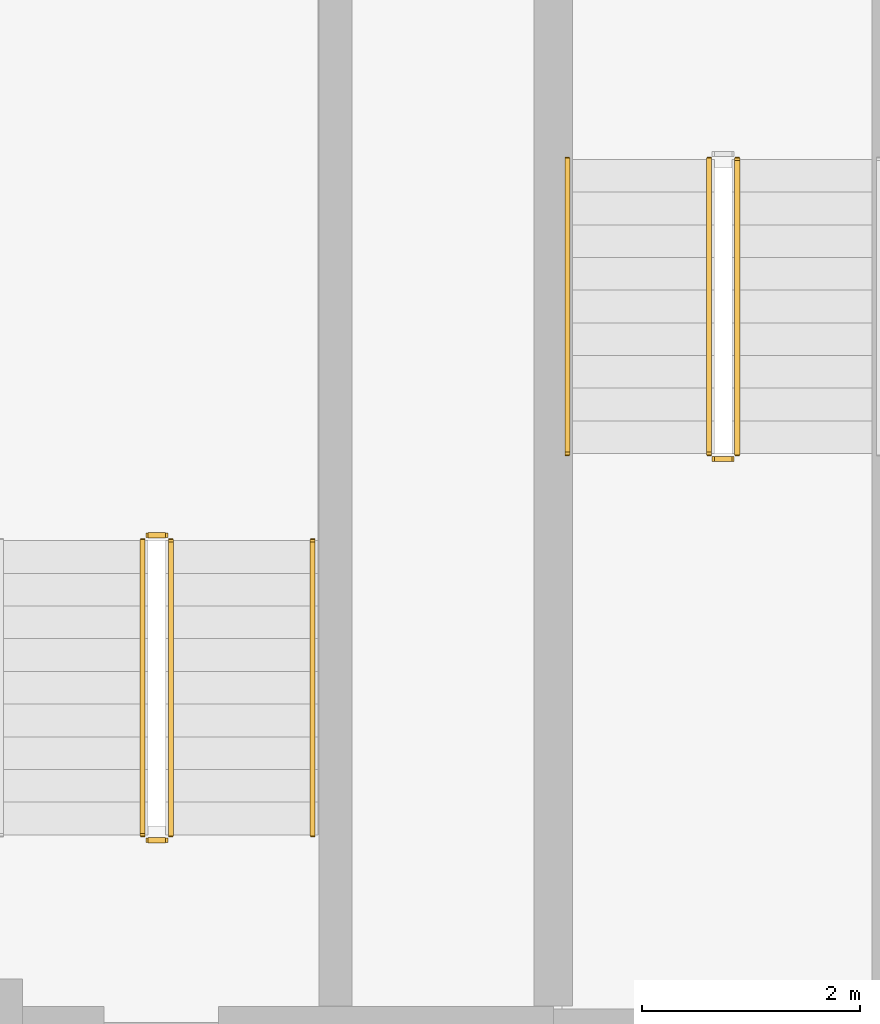
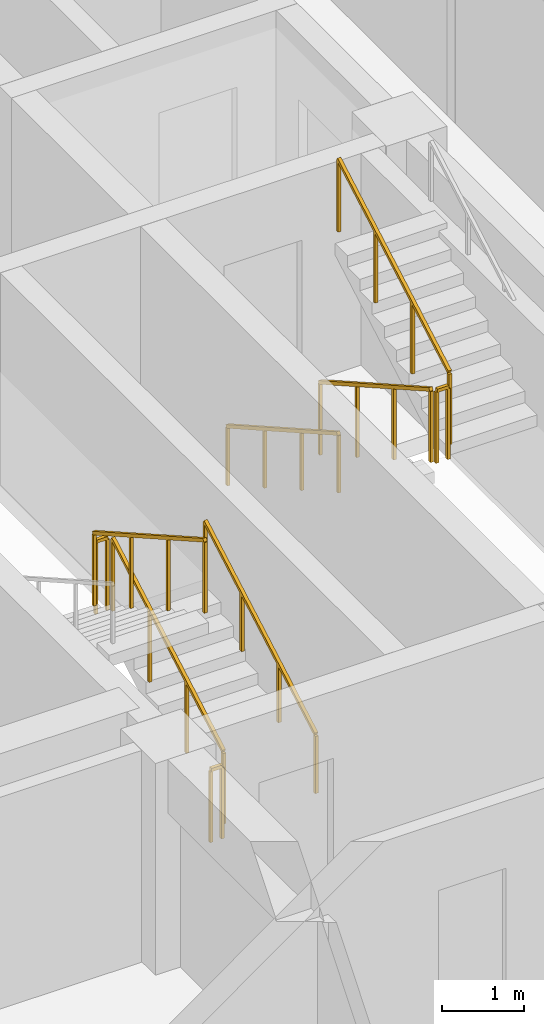
# One storey, part 10 of 15: 9 railings.
"""IFC4 building model written with IfcOpenShell, lengths in metres."""

from ifc_helpers import new_model, si_unit, direction, frame, origin, origin_2d, place, context, subcontext, project, spatial, rectangle, extrude, material, type_object, element, save


model = new_model("IFC4")

# Units and contexts
model_context = context("Model", 3, precision=1e-05, world=origin(), true_north=direction((0.0, 1.0)))
body_context = subcontext(model_context, "Body", "Model", "MODEL_VIEW")
ifc_project = project(units=[si_unit("LENGTHUNIT", "METRE"), si_unit("AREAUNIT", "SQUARE_METRE"), si_unit("VOLUMEUNIT", "CUBIC_METRE"), si_unit("PLANEANGLEUNIT", "RADIAN"), si_unit("MASSUNIT", "GRAM", prefix="KILO")], contexts=[model_context])

# Site, building, storey
site_placement = place(None, origin())
site = spatial("IfcSite", under=ifc_project, at=site_placement, CompositionType="ELEMENT")
building_placement = place(site_placement, origin())
building = spatial("IfcBuilding", under=site, at=building_placement, Name="Zulmaris Gate Convention Tower", CompositionType="ELEMENT")
storey_placement = place(building_placement, frame((0.0, 0.0, 201.659912109375)))
storey = spatial("IfcBuildingStorey", under=building, at=storey_placement, Name="L52", CompositionType="ELEMENT", Elevation=201.659912109375)

# Railings
ifc_material_1 = material(Name="Painted Galvanised Steel", Category="steel")
railing_type_1 = type_object("IfcRailingType", Name="RL-STG-1150", PredefinedType="GUARDRAIL", material=ifc_material_1)
railing_1_placement = place(storey_placement, frame((-13.27001953125, -2.0, 0.169921875)))
element("IfcRailing", 1, at=railing_1_placement, inside=storey, type_object=railing_type_1, Name="L52 ST-1 stair guard 1", PredefinedType="GUARDRAIL", context=body_context, shape_type="SweptSolid", body=[
    extrude(rectangle(XDim=0.048095703125, YDim=0.048095703125, at=origin_2d()), frame((0.0, 0.0, 1.076171875), z_axis=(0.0, -0.869980566543, 0.493086010588), x_axis=(1.0, 0.0, 0.0)), (0.0, 0.0, 1.0), 3.103515625),
    extrude(rectangle(XDim=0.0419921875, YDim=0.0419921875, at=origin_2d()), origin(), (0.0, 0.0, 1.0), 1.052001953125),
    extrude(rectangle(XDim=0.0419921875, YDim=0.0419921875, at=origin_2d()), frame((0.0, -0.89990234375, 0.510009765625)), (0.0, 0.0, 1.0), 1.052001953125),
    extrude(rectangle(XDim=0.0419921875, YDim=0.0419921875, at=origin_2d()), frame((0.0, -1.800048828125, 1.020263671875)), (0.0, 0.0, 1.0), 1.052001953125),
    extrude(rectangle(XDim=0.0419921875, YDim=0.0419921875, at=origin_2d()), frame((0.0, -2.699951171875, 1.5302734375)), (0.0, 0.0, 1.0), 1.052001953125),
])
railing_2_placement = place(storey_placement, frame((-13.219970703125, -4.75, 1.7001953125)))
element("IfcRailing", 2, at=railing_2_placement, inside=storey, type_object=railing_type_1, Name="L52 ST-1 stair guard 2", PredefinedType="GUARDRAIL", context=body_context, shape_type="SweptSolid", body=[
    extrude(rectangle(XDim=0.048095703125, YDim=0.048095703125, at=origin_2d()), frame((0.0, 0.0, 1.076171875), z_axis=(1.0, 0.0, 0.0), x_axis=(0.0, 1.0, 0.0)), (0.0, 0.0, 1.0), 0.159912109375),
    extrude(rectangle(XDim=0.0419921875, YDim=0.0419921875, at=origin_2d()), origin(), (0.0, 0.0, 1.0), 1.052001953125),
    extrude(rectangle(XDim=0.0419921875, YDim=0.0419921875, at=origin_2d()), frame((0.159912109375, 0.0, 0.0)), (0.0, 0.0, 1.0), 1.052001953125),
])
railing_3_placement = place(storey_placement, frame((-13.010009765625, -4.699951171875, 1.8701171875)))
element("IfcRailing", 3, at=railing_3_placement, inside=storey, type_object=railing_type_1, Name="L52 ST-1 stair guard 3", PredefinedType="GUARDRAIL", context=body_context, shape_type="SweptSolid", body=[
    extrude(rectangle(XDim=0.048095703125, YDim=0.048095703125, at=origin_2d()), frame((0.0, 0.0, 1.076171875), z_axis=(0.0, 0.870014312096, 0.49302646658), x_axis=(-1.0, 0.0, 0.0)), (0.0, 0.0, 1.0), 3.103271484375),
    extrude(rectangle(XDim=0.0419921875, YDim=0.0419921875, at=origin_2d()), origin(), (0.0, 0.0, 1.0), 1.052001953125),
    extrude(rectangle(XDim=0.0419921875, YDim=0.0419921875, at=origin_2d()), frame((0.0, 0.89990234375, 0.510009765625)), (0.0, 0.0, 1.0), 1.052001953125),
    extrude(rectangle(XDim=0.0419921875, YDim=0.0419921875, at=origin_2d()), frame((0.0, 1.800048828125, 1.02001953125)), (0.0, 0.0, 1.0), 1.052001953125),
    extrude(rectangle(XDim=0.0419921875, YDim=0.0419921875, at=origin_2d()), frame((0.0, 2.699951171875, 1.530029296875)), (0.0, 0.0, 1.0), 1.052001953125),
])
railing_4_placement = place(storey_placement, frame((-18.2099609375, -8.199951171875, 0.169921875)))
element("IfcRailing", 4, at=railing_4_placement, inside=storey, type_object=railing_type_1, Name="L52 ST-3 stair guard 1", PredefinedType="GUARDRAIL", context=body_context, shape_type="SweptSolid", body=[
    extrude(rectangle(XDim=0.048095703125, YDim=0.048095703125, at=origin_2d()), frame((0.0, 0.0, 1.076171875), z_axis=(0.0, 0.869980566543, 0.493086010588), x_axis=(-1.0, 0.0, 0.0)), (0.0, 0.0, 1.0), 3.103515625),
    extrude(rectangle(XDim=0.0419921875, YDim=0.0419921875, at=origin_2d()), origin(), (0.0, 0.0, 1.0), 1.052001953125),
    extrude(rectangle(XDim=0.0419921875, YDim=0.0419921875, at=origin_2d()), frame((0.0, 0.89990234375, 0.510009765625)), (0.0, 0.0, 1.0), 1.052001953125),
    extrude(rectangle(XDim=0.0419921875, YDim=0.0419921875, at=origin_2d()), frame((0.0, 1.800048828125, 1.020263671875)), (0.0, 0.0, 1.0), 1.052001953125),
    extrude(rectangle(XDim=0.0419921875, YDim=0.0419921875, at=origin_2d()), frame((0.0, 2.699951171875, 1.5302734375)), (0.0, 0.0, 1.0), 1.052001953125),
])
railing_5_placement = place(storey_placement, frame((-18.260009765625, -5.449951171875, 1.7001953125)))
element("IfcRailing", 5, at=railing_5_placement, inside=storey, type_object=railing_type_1, Name="L52 ST-3 stair guard 2", PredefinedType="GUARDRAIL", context=body_context, shape_type="SweptSolid", body=[
    extrude(rectangle(XDim=0.048095703125, YDim=0.048095703125, at=origin_2d()), frame((0.0, 0.0, 1.076171875), z_axis=(-1.0, 0.0, 0.0), x_axis=(0.0, -1.0, 0.0)), (0.0, 0.0, 1.0), 0.159912109375),
    extrude(rectangle(XDim=0.0419921875, YDim=0.0419921875, at=origin_2d()), origin(), (0.0, 0.0, 1.0), 1.052001953125),
    extrude(rectangle(XDim=0.0419921875, YDim=0.0419921875, at=origin_2d()), frame((-0.159912109375, 0.0, 0.0)), (0.0, 0.0, 1.0), 1.052001953125),
])
railing_6_placement = place(storey_placement, frame((-18.469970703125, -5.5, 1.8701171875)))
element("IfcRailing", 6, at=railing_6_placement, inside=storey, type_object=railing_type_1, Name="L52 ST-3 stair guard 3", PredefinedType="GUARDRAIL", context=body_context, shape_type="SweptSolid", body=[
    extrude(rectangle(XDim=0.048095703125, YDim=0.048095703125, at=origin_2d()), frame((0.0, 0.0, 1.076171875), z_axis=(0.0, -0.870014312096, 0.49302646658), x_axis=(1.0, 0.0, 0.0)), (0.0, 0.0, 1.0), 3.103271484375),
    extrude(rectangle(XDim=0.0419921875, YDim=0.0419921875, at=origin_2d()), origin(), (0.0, 0.0, 1.0), 1.052001953125),
    extrude(rectangle(XDim=0.0419921875, YDim=0.0419921875, at=origin_2d()), frame((0.0, -0.89990234375, 0.510009765625)), (0.0, 0.0, 1.0), 1.052001953125),
    extrude(rectangle(XDim=0.0419921875, YDim=0.0419921875, at=origin_2d()), frame((0.0, -1.800048828125, 1.02001953125)), (0.0, 0.0, 1.0), 1.052001953125),
    extrude(rectangle(XDim=0.0419921875, YDim=0.0419921875, at=origin_2d()), frame((0.0, -2.699951171875, 1.530029296875)), (0.0, 0.0, 1.0), 1.052001953125),
])
railing_7_placement = place(storey_placement, frame((-18.260009765625, -8.25, 0.0)))
element("IfcRailing", 7, at=railing_7_placement, inside=storey, type_object=railing_type_1, Name="L52 ST-3 stair guard 4", PredefinedType="GUARDRAIL", context=body_context, shape_type="SweptSolid", body=[
    extrude(rectangle(XDim=0.048095703125, YDim=0.048095703125, at=origin_2d()), frame((0.0, 0.0, 1.076171875), z_axis=(-1.0, 0.0, 0.0), x_axis=(0.0, -1.0, 0.0)), (0.0, 0.0, 1.0), 0.159912109375),
    extrude(rectangle(XDim=0.0419921875, YDim=0.0419921875, at=origin_2d()), origin(), (0.0, 0.0, 1.0), 1.052001953125),
    extrude(rectangle(XDim=0.0419921875, YDim=0.0419921875, at=origin_2d()), frame((-0.159912109375, 0.0, 0.0)), (0.0, 0.0, 1.0), 1.052001953125),
])
ifc_material_2 = material(Name="Brushed Stainless Steel", Category="steel")
railing_type_2 = type_object("IfcRailingType", Name="RL-STH-900", PredefinedType="HANDRAIL", material=ifc_material_2)
railing_8_placement = place(storey_placement, frame((-14.570068359375, -2.0, 0.169921875)))
element("IfcRailing", 8, at=railing_8_placement, inside=storey, type_object=railing_type_2, Name="L52 ST-1 stair handrail 1", PredefinedType="HANDRAIL", context=body_context, shape_type="SweptSolid", body=[
    extrude(rectangle(XDim=0.048095703125, YDim=0.048095703125, at=origin_2d()), frame((0.0, 0.0, 0.8759765625), z_axis=(0.0, -0.869980566543, 0.493086010588), x_axis=(1.0, 0.0, 0.0)), (0.0, 0.0, 1.0), 3.103515625),
    extrude(rectangle(XDim=0.0419921875, YDim=0.0419921875, at=origin_2d()), origin(), (0.0, 0.0, 1.0), 0.851806640625),
    extrude(rectangle(XDim=0.0419921875, YDim=0.0419921875, at=origin_2d()), frame((0.0, -0.89990234375, 0.510009765625)), (0.0, 0.0, 1.0), 0.851806640625),
    extrude(rectangle(XDim=0.0419921875, YDim=0.0419921875, at=origin_2d()), frame((0.0, -1.800048828125, 1.020263671875)), (0.0, 0.0, 1.0), 0.851806640625),
    extrude(rectangle(XDim=0.0419921875, YDim=0.0419921875, at=origin_2d()), frame((0.0, -2.699951171875, 1.5302734375)), (0.0, 0.0, 1.0), 0.851806640625),
])
railing_9_placement = place(storey_placement, frame((-16.909912109375, -8.199951171875, 0.169921875)))
element("IfcRailing", 9, at=railing_9_placement, inside=storey, type_object=railing_type_2, Name="L52 ST-3 stair handrail 1", PredefinedType="HANDRAIL", context=body_context, shape_type="SweptSolid", body=[
    extrude(rectangle(XDim=0.048095703125, YDim=0.048095703125, at=origin_2d()), frame((0.0, 0.0, 0.8759765625), z_axis=(0.0, 0.869980566543, 0.493086010588), x_axis=(-1.0, 0.0, 0.0)), (0.0, 0.0, 1.0), 3.103515625),
    extrude(rectangle(XDim=0.0419921875, YDim=0.0419921875, at=origin_2d()), origin(), (0.0, 0.0, 1.0), 0.851806640625),
    extrude(rectangle(XDim=0.0419921875, YDim=0.0419921875, at=origin_2d()), frame((0.0, 0.89990234375, 0.510009765625)), (0.0, 0.0, 1.0), 0.851806640625),
    extrude(rectangle(XDim=0.0419921875, YDim=0.0419921875, at=origin_2d()), frame((0.0, 1.800048828125, 1.020263671875)), (0.0, 0.0, 1.0), 0.851806640625),
    extrude(rectangle(XDim=0.0419921875, YDim=0.0419921875, at=origin_2d()), frame((0.0, 2.699951171875, 1.5302734375)), (0.0, 0.0, 1.0), 0.851806640625),
])

save(model, "model.ifc")
